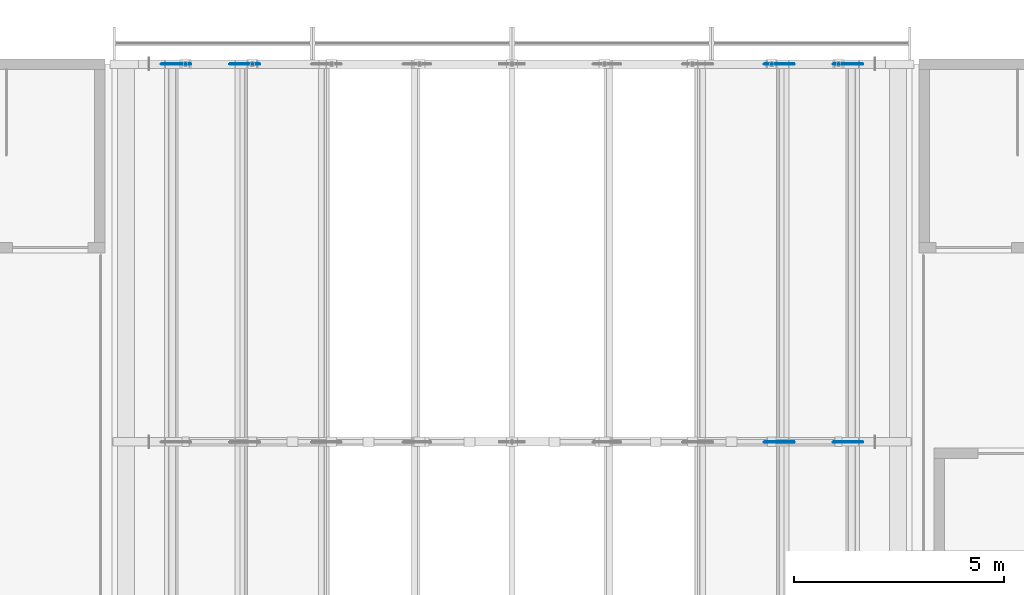
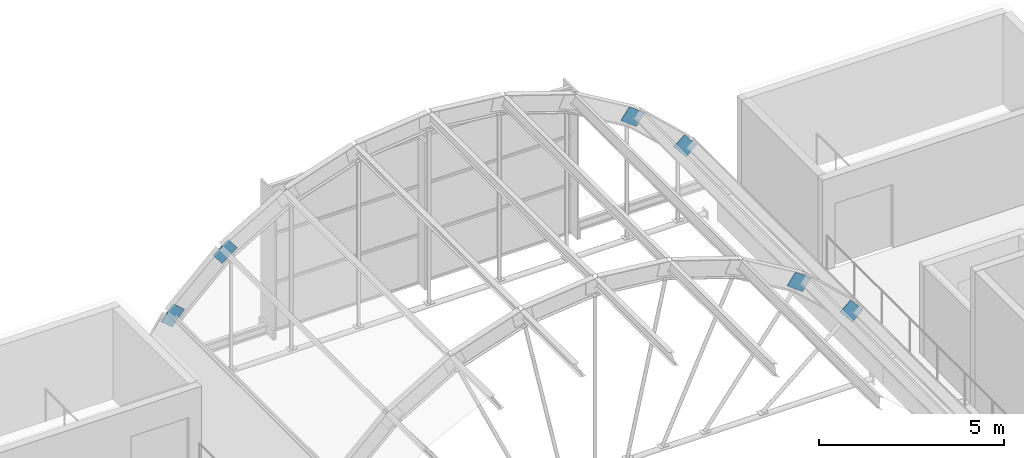
# One storey, part 64 of 79: 12 discrete accessories.
"""IFC4 building model written with IfcOpenShell, lengths in metres."""

from ifc_helpers import new_model, si_unit, direction, frame, origin, origin_2d, place, context, subcontext, project, spatial, rectangle, extrude, material, material_profile, profile_set, type_object, element, save


model = new_model("IFC4")

# Units and contexts
model_context = context("Model", 3, precision=1e-05, world=origin(), true_north=direction((0.0, 1.0)))
body_context = subcontext(model_context, "Body", "Model", "MODEL_VIEW")
ifc_project = project(units=[si_unit("LENGTHUNIT", "METRE"), si_unit("AREAUNIT", "SQUARE_METRE"), si_unit("VOLUMEUNIT", "CUBIC_METRE"), si_unit("PLANEANGLEUNIT", "RADIAN"), si_unit("MASSUNIT", "GRAM", prefix="KILO")], contexts=[model_context])

# Site, building, storey
site_placement = place(None, origin())
site = spatial("IfcSite", under=ifc_project, at=site_placement, CompositionType="ELEMENT")
building_placement = place(site_placement, origin())
building = spatial("IfcBuilding", under=site, at=building_placement, Name="Guidao Yard Department Store", CompositionType="ELEMENT")
storey_placement = place(building_placement, frame((0.0, 0.0, 15.0)))
storey = spatial("IfcBuildingStorey", under=building, at=storey_placement, Name="L03", CompositionType="ELEMENT", Elevation=15.0)

# Discrete accessories
ifc_material = material(Name="Steel Q355B", Category="steel")
ifc_material_profile = material_profile(ifc_material, rectangle(XDim=0.011962890625, YDim=0.449951171875, at=origin_2d()), Name="Splice plate 450x12")
ifc_profile_set = profile_set([ifc_material_profile], Name="Steel Q355B")
discrete_accessory_type = type_object("IfcDiscreteAccessoryType", Name="Rib splice plate SP2 steel", PredefinedType="BRACKET", material=ifc_profile_set)
for number, where, z_axis, x_axis, name in (
    (1, (96.1279296875, 98.988525390625, 3.735595703125), (0.799560332416, 0.0, -0.60058577641), (0.0, 1.0, 0.0), "Rib splice plate C07-08A"),
    (2, (96.1279296875, 99.011474609375, 3.735595703125), (0.799560332416, 0.0, -0.60058577641), (0.0, 1.0, 0.0), "Rib splice plate C07-08B"),
    (3, (97.8125, 98.988525390625, 2.2451171875), (0.649618131171, 0.0, -0.760260668227), (0.0, 1.0, 0.0), "Rib splice plate C07-09A"),
    (4, (97.8125, 99.011474609375, 2.2451171875), (0.649618131171, 0.0, -0.760260668227), (0.0, 1.0, 0.0), "Rib splice plate C07-09B"),
    (5, (81.797607421875, 107.988525390625, 1.788818359375), (0.649618131171, 0.0, 0.760260668227), (0.0, 1.0, 0.0), "Rib splice plate C08-01A"),
    (6, (81.797607421875, 108.011474609375, 1.788818359375), (0.649618131171, 0.0, 0.760260668227), (0.0, 1.0, 0.0), "Rib splice plate C08-01B"),
    (7, (83.392333984375, 107.988525390625, 3.375244140625), (0.799560332416, 0.0, 0.60058577641), (0.0, 1.0, 0.0), "Rib splice plate C08-02A"),
    (8, (83.392333984375, 108.011474609375, 3.375244140625), (0.799560332416, 0.0, 0.60058577641), (0.0, 1.0, 0.0), "Rib splice plate C08-02B"),
    (9, (96.1279296875, 107.988525390625, 3.735595703125), (0.799560332416, 0.0, -0.60058577641), (0.0, 1.0, 0.0), "Rib splice plate C08-08A"),
    (10, (96.1279296875, 108.011474609375, 3.735595703125), (0.799560332416, 0.0, -0.60058577641), (0.0, 1.0, 0.0), "Rib splice plate C08-08B"),
    (11, (97.8125, 107.988525390625, 2.2451171875), (0.649618131171, 0.0, -0.760260668227), (0.0, 1.0, 0.0), "Rib splice plate C08-09A"),
    (12, (97.8125, 108.011474609375, 2.2451171875), (0.649618131171, 0.0, -0.760260668227), (0.0, 1.0, 0.0), "Rib splice plate C08-09B"),
):
    element("IfcDiscreteAccessory", number, at=place(storey_placement, frame(where, z_axis=z_axis, x_axis=x_axis)), inside=storey, type_object=discrete_accessory_type, Name=name, PredefinedType="BRACKET", context=body_context, shape_type="SweptSolid", body=[
        extrude(rectangle(XDim=0.011962890625, YDim=0.449951171875, at=origin_2d()), origin(), (0.0, 0.0, 1.0), 0.60009765625),
    ])

save(model, "model.ifc")
